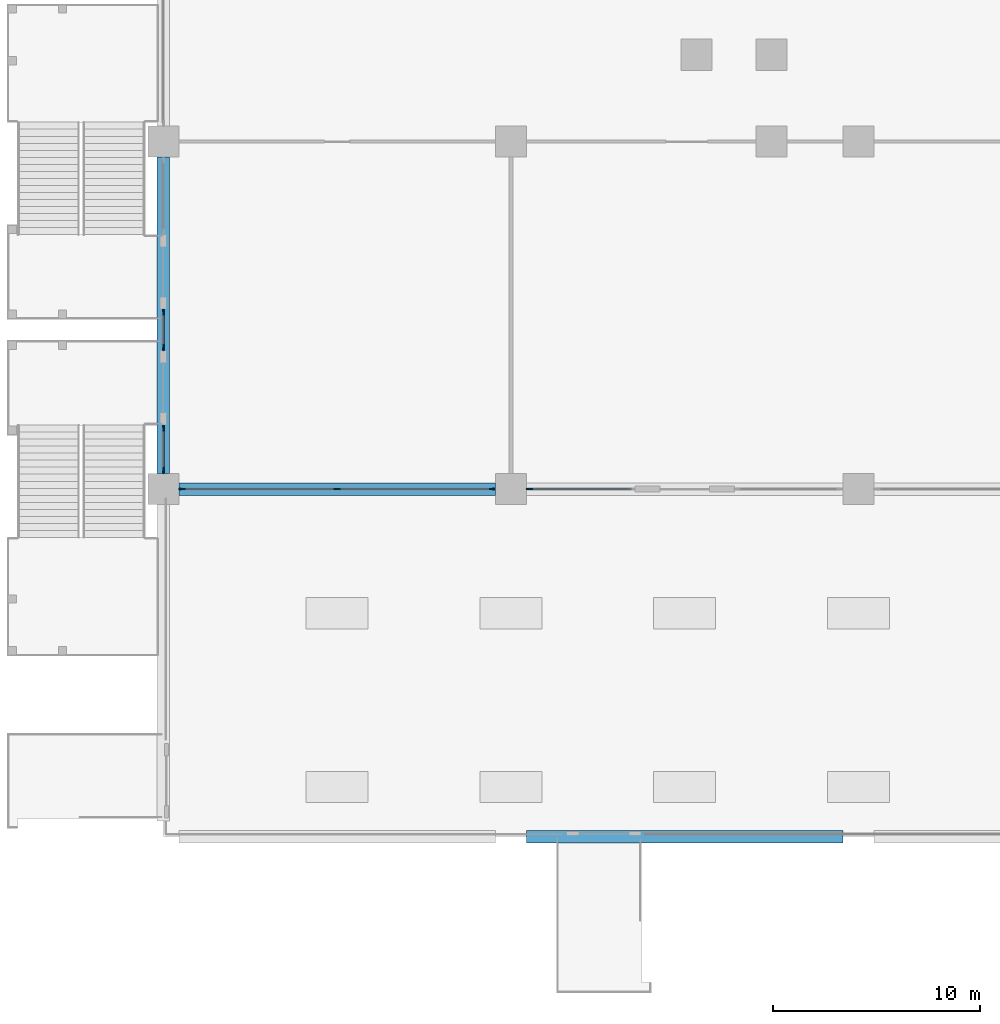
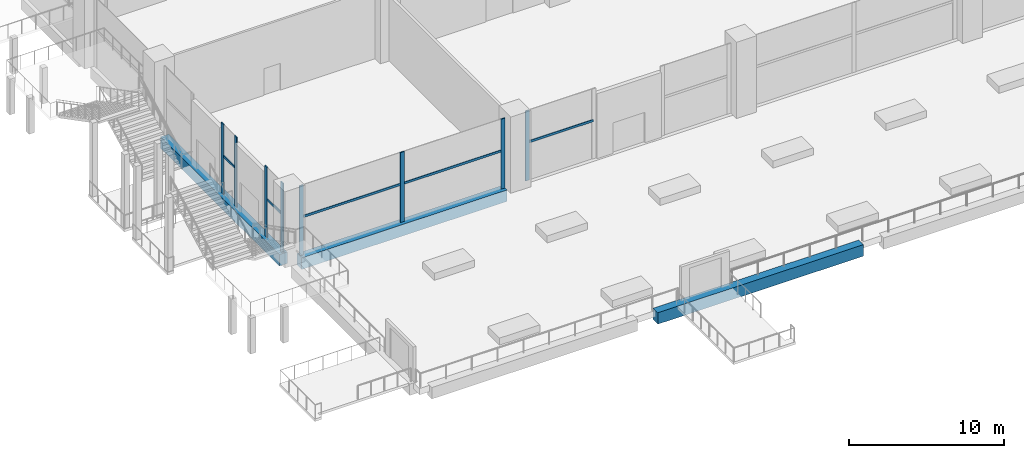
# One storey, part 4 of 47: 13 members, 3 beams, 4 elements without a shape of their own.
"""IFC4 building model written with IfcOpenShell, lengths in metres."""

from ifc_helpers import new_model, si_unit, direction, frame, origin, origin_2d, place, context, subcontext, project, spatial, rectangle, extrude, material, material_profile, profile_set, type_object, element, aggregate, save


model = new_model("IFC4")

# Units and contexts
model_context = context("Model", 3, precision=1e-05, world=origin(), true_north=direction((0.0, 1.0)))
body_context = subcontext(model_context, "Body", "Model", "MODEL_VIEW")
ifc_project = project(units=[si_unit("LENGTHUNIT", "METRE"), si_unit("AREAUNIT", "SQUARE_METRE"), si_unit("VOLUMEUNIT", "CUBIC_METRE"), si_unit("PLANEANGLEUNIT", "RADIAN"), si_unit("MASSUNIT", "GRAM", prefix="KILO")], contexts=[model_context])

# Site, building, storey
site_placement = place(None, origin())
site = spatial("IfcSite", under=ifc_project, at=site_placement, CompositionType="ELEMENT")
building_placement = place(site_placement, origin())
building = spatial("IfcBuilding", under=site, at=building_placement, Name="Candeia Pilgrim Tower and Theatre", CompositionType="ELEMENT")
storey_placement = place(building_placement, frame((0.0, 0.0, 23.0)))
storey = spatial("IfcBuildingStorey", under=building, at=storey_placement, Name="L03", CompositionType="ELEMENT", Elevation=23.0)

# Curtain wall, members
ifc_material_1 = material(Name="Aluminium framed podium glazing", Category="aluminium")
curtain_wall_type = type_object("IfcCurtainWallType", Name="CW-P curtain wall", PredefinedType="NOTDEFINED", material=ifc_material_1)
curtain_wall_1_placement = place(storey_placement, origin())
curtain_wall_1 = element("IfcCurtainWall", 1, at=curtain_wall_1_placement, inside=storey, type_object=curtain_wall_type, Name="Curtain wall CW-P L03.000", PredefinedType="NOTDEFINED")
ifc_material_2 = material(Name="Anodised aluminium", Category="aluminium")
ifc_material_profile_1 = material_profile(ifc_material_2, rectangle(XDim=0.080078125, YDim=0.300048828125, at=origin_2d()))
ifc_profile_set_1 = profile_set([ifc_material_profile_1], Name="Anodised aluminium")
member_type_1 = type_object("IfcMemberType", Name="CW-P mullion 80x300", PredefinedType="MULLION", material=ifc_profile_set_1)
member_1_placement = place(storey_placement, frame((58.800048828125, 82.10009765625, 0.0), z_axis=(0.0, 0.0, 1.0), x_axis=(-1.0, 0.0, 0.0)))
member_1 = element("IfcMember", 2, at=member_1_placement, type_object=member_type_1, Name="CW-P mullion 1", PredefinedType="MULLION", context=body_context, shape_type="SweptSolid", body=[
    extrude(rectangle(XDim=0.080078125, YDim=0.300048828125, at=origin_2d()), origin(), (0.0, 0.0, 1.0), 5.5),
])
member_2_placement = place(storey_placement, frame((58.800048828125, 84.14990234375, 0.0), z_axis=(0.0, 0.0, 1.0), x_axis=(-1.0, 0.0, 0.0)))
member_2 = element("IfcMember", 3, at=member_2_placement, type_object=member_type_1, Name="CW-P mullion 2", PredefinedType="MULLION", context=body_context, shape_type="SweptSolid", body=[
    extrude(rectangle(XDim=0.080078125, YDim=0.300048828125, at=origin_2d()), origin(), (0.0, 0.0, 1.0), 5.5),
])

curtain_wall_2_placement = place(storey_placement, origin())
curtain_wall_2 = element("IfcCurtainWall", 4, at=curtain_wall_2_placement, inside=storey, type_object=curtain_wall_type, Name="Curtain wall CW-P L03.001", PredefinedType="NOTDEFINED")
member_3_placement = place(storey_placement, frame((58.800048828125, 88.050048828125, 0.0), z_axis=(0.0, 0.0, 1.0), x_axis=(-1.0, 0.0, 0.0)))
member_3 = element("IfcMember", 5, at=member_3_placement, type_object=member_type_1, Name="CW-P mullion 1", PredefinedType="MULLION", context=body_context, shape_type="SweptSolid", body=[
    extrude(rectangle(XDim=0.080078125, YDim=0.300048828125, at=origin_2d()), origin(), (0.0, 0.0, 1.0), 5.5),
])
member_4_placement = place(storey_placement, frame((58.800048828125, 89.75, 0.0), z_axis=(0.0, 0.0, 1.0), x_axis=(-1.0, 0.0, 0.0)))
member_4 = element("IfcMember", 6, at=member_4_placement, type_object=member_type_1, Name="CW-P mullion 2", PredefinedType="MULLION", context=body_context, shape_type="SweptSolid", body=[
    extrude(rectangle(XDim=0.080078125, YDim=0.300048828125, at=origin_2d()), origin(), (0.0, 0.0, 1.0), 5.5),
])

# Curtain wall, member
curtain_wall_3_placement = place(storey_placement, origin())
curtain_wall_3 = element("IfcCurtainWall", 7, at=curtain_wall_3_placement, inside=storey, type_object=curtain_wall_type, Name="Curtain wall CW-P L03.341", PredefinedType="NOTDEFINED")
member_5_placement = place(storey_placement, frame((76.5, 81.199951171875, 0.0), z_axis=(0.0, 0.0, 1.0), x_axis=(0.0, -1.0, 0.0)))
member_5 = element("IfcMember", 8, at=member_5_placement, type_object=member_type_1, Name="CW-P mullion 2", PredefinedType="MULLION", context=body_context, shape_type="SweptSolid", body=[
    extrude(rectangle(XDim=0.080078125, YDim=0.300048828125, at=origin_2d()), origin(), (0.0, 0.0, 1.0), 5.5),
])

# Curtain wall, members
curtain_wall_4_placement = place(storey_placement, origin())
curtain_wall_4 = element("IfcCurtainWall", 9, at=curtain_wall_4_placement, inside=storey, type_object=curtain_wall_type, Name="Curtain wall CW-P L03.350", PredefinedType="NOTDEFINED")
member_6_placement = place(storey_placement, frame((74.699951171875, 81.199951171875, 0.0), z_axis=(0.0, 0.0, 1.0), x_axis=(0.0, -1.0, 0.0)))
member_6 = element("IfcMember", 10, at=member_6_placement, type_object=member_type_1, Name="CW-P mullion 1", PredefinedType="MULLION", context=body_context, shape_type="SweptSolid", body=[
    extrude(rectangle(XDim=0.080078125, YDim=0.300048828125, at=origin_2d()), origin(), (0.0, 0.0, 1.0), 5.5),
])
member_7_placement = place(storey_placement, frame((67.199951171875, 81.199951171875, 0.0), z_axis=(0.0, 0.0, 1.0), x_axis=(0.0, -1.0, 0.0)))
member_7 = element("IfcMember", 11, at=member_7_placement, type_object=member_type_1, Name="CW-P mullion 2", PredefinedType="MULLION", context=body_context, shape_type="SweptSolid", body=[
    extrude(rectangle(XDim=0.080078125, YDim=0.300048828125, at=origin_2d()), origin(), (0.0, 0.0, 1.0), 5.5),
])
member_8_placement = place(storey_placement, frame((59.699951171875, 81.199951171875, 0.0), z_axis=(0.0, 0.0, 1.0), x_axis=(0.0, -1.0, 0.0)))
member_8 = element("IfcMember", 12, at=member_8_placement, type_object=member_type_1, Name="CW-P mullion 3", PredefinedType="MULLION", context=body_context, shape_type="SweptSolid", body=[
    extrude(rectangle(XDim=0.080078125, YDim=0.300048828125, at=origin_2d()), origin(), (0.0, 0.0, 1.0), 5.5),
])

# Member
ifc_material_profile_2 = material_profile(ifc_material_2, rectangle(XDim=0.080078125, YDim=0.179931640625, at=origin_2d()))
ifc_profile_set_2 = profile_set([ifc_material_profile_2], Name="Anodised aluminium")
member_type_2 = type_object("IfcMemberType", Name="CW-P transom 80x180", PredefinedType="USERDEFINED", material=ifc_profile_set_2)
member_9_placement = place(storey_placement, frame((58.800048828125, 82.139892578125, 3.0), z_axis=(0.0, 1.0, 0.0), x_axis=(-1.0, 0.0, 0.0)))
member_9 = element("IfcMember", 13, at=member_9_placement, type_object=member_type_2, Name="CW-P transom 1.1", ObjectType="TRANSOM", PredefinedType="USERDEFINED", context=body_context, shape_type="SweptSolid", body=[
    extrude(rectangle(XDim=0.080078125, YDim=0.179931640625, at=origin_2d()), origin(), (0.0, 0.0, 1.0), 1.97021484375),
])

aggregate(curtain_wall_1, [member_1, member_2, member_9])

member_10_placement = place(storey_placement, frame((58.800048828125, 88.090087890625, 3.0), z_axis=(0.0, 1.0, 0.0), x_axis=(-1.0, 0.0, 0.0)))
member_10 = element("IfcMember", 14, at=member_10_placement, type_object=member_type_2, Name="CW-P transom 1.1", ObjectType="TRANSOM", PredefinedType="USERDEFINED", context=body_context, shape_type="SweptSolid", body=[
    extrude(rectangle(XDim=0.080078125, YDim=0.179931640625, at=origin_2d()), origin(), (0.0, 0.0, 1.0), 1.619873046875),
])

aggregate(curtain_wall_2, [member_3, member_4, member_10])

member_11_placement = place(storey_placement, frame((81.409912109375, 81.199951171875, 3.0), z_axis=(-1.0, 0.0, 0.0), x_axis=(0.0, -1.0, 0.0)))
member_11 = element("IfcMember", 15, at=member_11_placement, type_object=member_type_2, Name="CW-P transom 1.1", ObjectType="TRANSOM", PredefinedType="USERDEFINED", context=body_context, shape_type="SweptSolid", body=[
    extrude(rectangle(XDim=0.080078125, YDim=0.179931640625, at=origin_2d()), origin(), (0.0, 0.0, 1.0), 4.869873046875),
])

aggregate(curtain_wall_3, [member_5, member_11])

member_12_placement = place(storey_placement, frame((74.659912109375, 81.199951171875, 3.0), z_axis=(-1.0, 0.0, 0.0), x_axis=(0.0, -1.0, 0.0)))
member_12 = element("IfcMember", 16, at=member_12_placement, type_object=member_type_2, Name="CW-P transom 1.1", ObjectType="TRANSOM", PredefinedType="USERDEFINED", context=body_context, shape_type="SweptSolid", body=[
    extrude(rectangle(XDim=0.080078125, YDim=0.179931640625, at=origin_2d()), origin(), (0.0, 0.0, 1.0), 7.419921875),
])

member_13_placement = place(storey_placement, frame((67.159912109375, 81.199951171875, 3.0), z_axis=(-1.0, 0.0, 0.0), x_axis=(0.0, -1.0, 0.0)))
member_13 = element("IfcMember", 17, at=member_13_placement, type_object=member_type_2, Name="CW-P transom 2.1", ObjectType="TRANSOM", PredefinedType="USERDEFINED", context=body_context, shape_type="SweptSolid", body=[
    extrude(rectangle(XDim=0.080078125, YDim=0.179931640625, at=origin_2d()), origin(), (0.0, 0.0, 1.0), 7.419921875),
])

aggregate(curtain_wall_4, [member_6, member_7, member_8, member_12, member_13])

# Beams
ifc_material_3 = material(Name="Concrete C80/95", Category="concrete")
ifc_material_profile_3 = material_profile(ifc_material_3, rectangle(XDim=0.60009765625, YDim=0.89990234375, at=origin_2d()))
ifc_profile_set_3 = profile_set([ifc_material_profile_3], Name="Concrete C80/95")
beam_type = type_object("IfcBeamType", Name="RC 600x900 C80/95", PredefinedType="BEAM", material=ifc_profile_set_3)
for number, where, z_axis, x_axis, name in (
    (18, (58.800048828125, 97.25, -0.449951171875), (0.0, -1.0, 0.0), (1.0, 0.0, 0.0), "Spandrel beam L03-20"),
    (19, (59.550048828125, 81.199951171875, -0.449951171875), (1.0, 0.0, 0.0), (0.0, 1.0, 0.0), "Spandrel beam L03-21"),
):
    element("IfcBeam", number, at=place(storey_placement, frame(where, z_axis=z_axis, x_axis=x_axis)), inside=storey, type_object=beam_type, Name=name, PredefinedType="BEAM", context=body_context, shape_type="SweptSolid", body=[
        extrude(rectangle(XDim=0.60009765625, YDim=0.89990234375, at=origin_2d()), origin(), (0.0, 0.0, 1.0), 15.300048828125),
    ])
beam_placement = place(storey_placement, frame((91.64990234375, 64.39990234375, -0.449951171875), z_axis=(-1.0, 0.0, 0.0), x_axis=(0.0, -1.0, 0.0)))
element("IfcBeam", 20, at=beam_placement, inside=storey, type_object=beam_type, Name="Spandrel beam L03-31", PredefinedType="BEAM", context=body_context, shape_type="SweptSolid", body=[
    extrude(rectangle(XDim=0.60009765625, YDim=0.89990234375, at=origin_2d()), origin(), (0.0, 0.0, 1.0), 15.2998046875),
])

save(model, "model.ifc")
